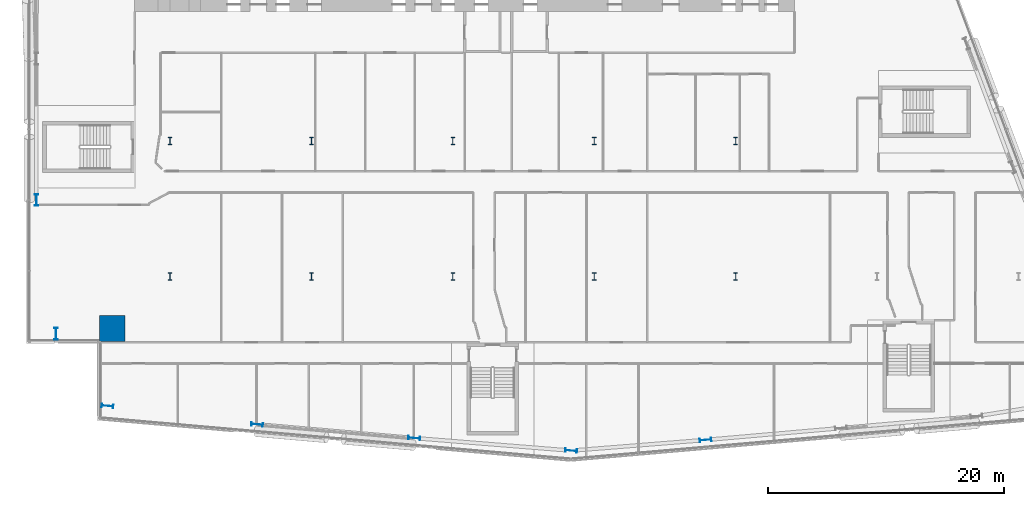
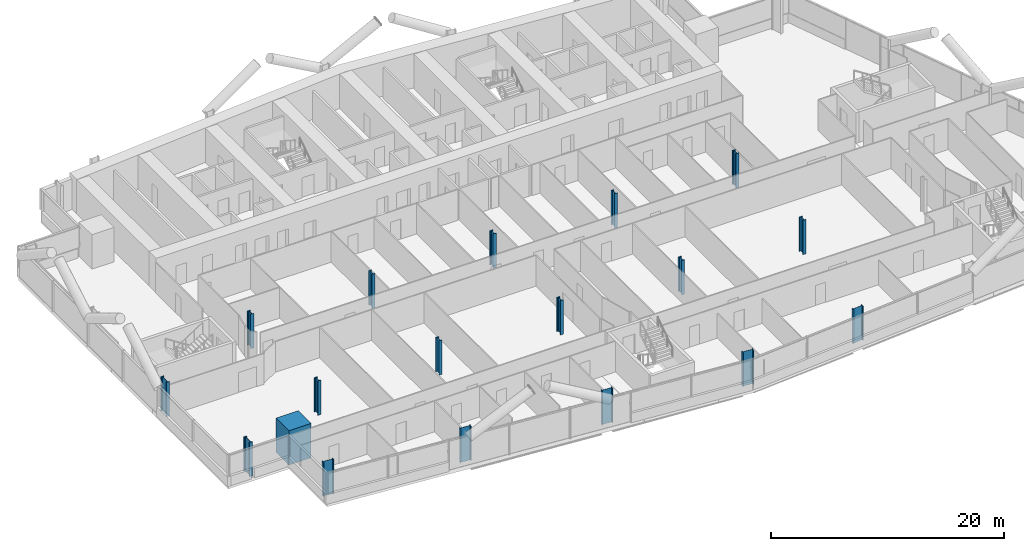
# One storey, part 1 of 28: 18 columns.
"""IFC4 building model written with IfcOpenShell, lengths in metres."""

from ifc_helpers import new_model, si_unit, direction, frame, origin, origin_2d, place, context, subcontext, project, spatial, rectangle, i_section, extrude, material, material_profile, profile_set, type_object, element, save


model = new_model("IFC4")

# Units and contexts
model_context = context("Model", 3, precision=1e-05, world=origin(), true_north=direction((0.0, 1.0)))
body_context = subcontext(model_context, "Body", "Model", "MODEL_VIEW")
ifc_project = project(units=[si_unit("LENGTHUNIT", "METRE"), si_unit("AREAUNIT", "SQUARE_METRE"), si_unit("VOLUMEUNIT", "CUBIC_METRE"), si_unit("PLANEANGLEUNIT", "RADIAN"), si_unit("MASSUNIT", "GRAM", prefix="KILO")], contexts=[model_context])

# Site, building, storey
site_placement = place(None, origin())
site = spatial("IfcSite", under=ifc_project, at=site_placement, CompositionType="ELEMENT")
building_placement = place(site_placement, origin())
building = spatial("IfcBuilding", under=site, at=building_placement, Name="Wharfspan Tower", CompositionType="ELEMENT")
storey_placement = place(building_placement, frame((0.0, 0.0, 59.5)))
storey = spatial("IfcBuildingStorey", under=building, at=storey_placement, Name="L11", CompositionType="ELEMENT", Elevation=59.5)

# Columns
ifc_material_1 = material(Name="Steel S355J2", Category="steel")
ifc_material_profile_1 = material_profile(ifc_material_1, i_section(OverallWidth=0.302002, OverallDepth=1.008057, WebThickness=0.020996, FlangeThickness=0.040039, FilletRadius=0.030029, at=origin_2d()))
ifc_profile_set_1 = profile_set([ifc_material_profile_1], Name="Steel S355J2")
column_type_1 = type_object("IfcColumnType", Name="Column HEM 1000", PredefinedType="COLUMN", material=ifc_profile_set_1)
for number, where, z_axis, x_axis, name in (
    (1, (6.694336, 0.528564, 0.0), (0.0, 0.0, 1.0), (-0.087156, -0.996198, 0.0), "Perimeter column PS1.1 L11"),
    (2, (19.390869, -1.033936, 0.0), (0.0, 0.0, 1.0), (-0.087156, -0.996198, 0.0), "Perimeter column PS1.2 L11"),
    (3, (32.724121, -2.200439, 0.0), (0.0, 0.0, 1.0), (-0.087156, -0.996198, 0.0), "Perimeter column PS1.3 L11"),
    (4, (46.04248, -3.268066, 0.0), (0.0, 0.0, 1.0), (-0.087156, -0.996198, 0.0), "Perimeter column PS1.4 L11"),
    (5, (57.442383, -2.36084, 0.0), (0.0, 0.0, 1.0), (0.087156, -0.996198, 0.0), "Perimeter column PS2.1 L11"),
    (6, (0.659912, 18.0, 0.0), (0.0, 0.0, 1.0), (-1.0, 0.0, 0.0), "Perimeter column PW.2 L11"),
    (7, (2.331787, 6.66748, 0.0), (0.0, 0.0, 1.0), (-1.0, 0.0, 0.0), "Perimeter column PW.3 L11"),
):
    element("IfcColumn", number, at=place(storey_placement, frame(where, z_axis=z_axis, x_axis=x_axis)), inside=storey, type_object=column_type_1, Name=name, PredefinedType="COLUMN", context=body_context, shape_type="SweptSolid", body=[
        extrude(i_section(OverallWidth=0.302002, OverallDepth=1.008057, WebThickness=0.020996, FlangeThickness=0.040039, FilletRadius=0.030029, at=origin_2d()), origin(), (0.0, 0.0, 1.0), 3.600098),
    ])
ifc_material_profile_2 = material_profile(ifc_material_1, i_section(OverallWidth=0.304932, OverallDepth=0.620117, WebThickness=0.020996, FlangeThickness=0.040039, FilletRadius=0.0271, at=origin_2d()))
ifc_profile_set_2 = profile_set([ifc_material_profile_2], Name="Steel S355J2")
column_type_2 = type_object("IfcColumnType", Name="Column HEM 600", PredefinedType="COLUMN", material=ifc_profile_set_2)
for number, where, z_axis, x_axis, name in (
    (8, (12.0, 11.5, 0.0), (0.0, 0.0, 1.0), (1.0, 0.0, 0.0), "Interior column I.1.1 L11"),
    (9, (24.0, 11.5, 0.0), (0.0, 0.0, 1.0), (1.0, 0.0, 0.0), "Interior column I.1.2 L11"),
    (10, (36.0, 11.5, 0.0), (0.0, 0.0, 1.0), (1.0, 0.0, 0.0), "Interior column I.1.3 L11"),
    (11, (48.0, 11.5, 0.0), (0.0, 0.0, 1.0), (1.0, 0.0, 0.0), "Interior column I.1.4 L11"),
    (12, (60.0, 11.5, 0.0), (0.0, 0.0, 1.0), (1.0, 0.0, 0.0), "Interior column I.1.5 L11"),
    (13, (12.0, 23.0, 0.0), (0.0, 0.0, 1.0), (1.0, 0.0, 0.0), "Interior column I.2.1 L11"),
    (14, (24.0, 23.0, 0.0), (0.0, 0.0, 1.0), (1.0, 0.0, 0.0), "Interior column I.2.2 L11"),
    (15, (36.0, 23.0, 0.0), (0.0, 0.0, 1.0), (1.0, 0.0, 0.0), "Interior column I.2.3 L11"),
    (16, (48.0, 23.0, 0.0), (0.0, 0.0, 1.0), (1.0, 0.0, 0.0), "Interior column I.2.4 L11"),
    (17, (60.0, 23.0, 0.0), (0.0, 0.0, 1.0), (1.0, 0.0, 0.0), "Interior column I.2.5 L11"),
):
    element("IfcColumn", number, at=place(storey_placement, frame(where, z_axis=z_axis, x_axis=x_axis)), inside=storey, type_object=column_type_2, Name=name, PredefinedType="COLUMN", context=body_context, shape_type="SweptSolid", body=[
        extrude(i_section(OverallWidth=0.304932, OverallDepth=0.620117, WebThickness=0.020996, FlangeThickness=0.040039, FilletRadius=0.0271, at=origin_2d()), origin(), (0.0, 0.0, 1.0), 3.600098),
    ])
ifc_material_2 = material(Name="Concrete C70/85", Category="concrete")
ifc_material_profile_3 = material_profile(ifc_material_2, rectangle(XDim=2.199951, YDim=2.199951, at=origin_2d()))
ifc_profile_set_3 = profile_set([ifc_material_profile_3], Name="Concrete C70/85")
column_type_3 = type_object("IfcColumnType", Name="Mega column 2200 C70/85", PredefinedType="COLUMN", material=ifc_profile_set_3)
column_placement = place(storey_placement, frame((7.100098, 7.100098, 0.0), z_axis=(0.0, 0.0, 1.0), x_axis=(1.0, 0.0, 0.0)))
element("IfcColumn", 18, at=column_placement, inside=storey, type_object=column_type_3, Name="Mega column MC1 L11", PredefinedType="COLUMN", context=body_context, shape_type="SweptSolid", body=[
    extrude(rectangle(XDim=2.199951, YDim=2.199951, at=origin_2d()), origin(), (0.0, 0.0, 1.0), 3.600098),
])

save(model, "model.ifc")
